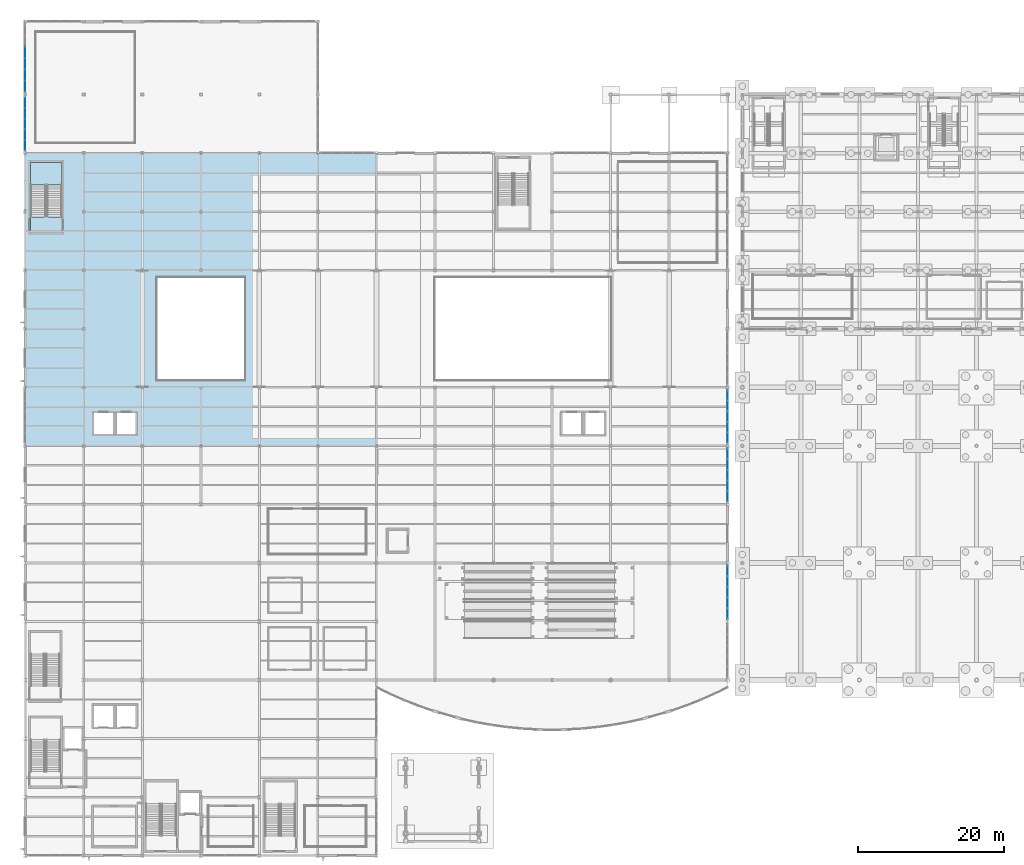
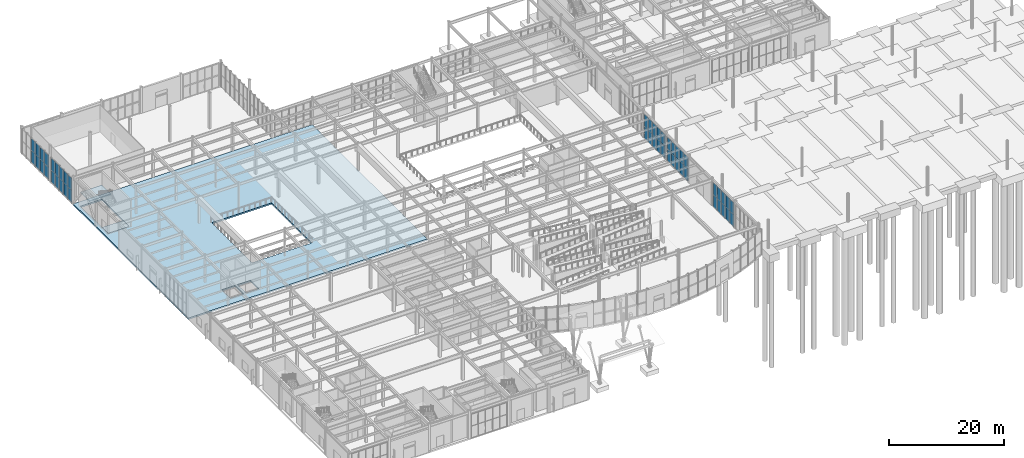
# One storey, part 51 of 82: 48 plates, 3 slabs, 6 elements without a shape of their own.
"""IFC4 building model written with IfcOpenShell, lengths in metres."""

from ifc_helpers import new_model, si_unit, direction, frame, origin, origin_2d, place, context, subcontext, project, spatial, polyline, rectangle, outline, extrude, material, layer, layer_set, type_object, element, aggregate, save


model = new_model("IFC4")

# Units and contexts
model_context = context("Model", 3, precision=1e-05, world=origin(), true_north=direction((0.0, 1.0)))
body_context = subcontext(model_context, "Body", "Model", "MODEL_VIEW")
ifc_project = project(units=[si_unit("LENGTHUNIT", "METRE"), si_unit("AREAUNIT", "SQUARE_METRE"), si_unit("VOLUMEUNIT", "CUBIC_METRE"), si_unit("PLANEANGLEUNIT", "RADIAN"), si_unit("MASSUNIT", "GRAM", prefix="KILO")], contexts=[model_context])

# Site, building, storey
site_placement = place(None, origin())
site = spatial("IfcSite", under=ifc_project, at=site_placement, CompositionType="ELEMENT")
building_placement = place(site_placement, origin())
building = spatial("IfcBuilding", under=site, at=building_placement, Name="Drelvath Fold Interchange", CompositionType="ELEMENT")
storey_placement = place(building_placement, origin())
storey = spatial("IfcBuildingStorey", under=building, at=storey_placement, Name="L00", CompositionType="ELEMENT", Elevation=0.0)

# Curtain wall, plates
ifc_material_1 = material(Name="Anodized Aluminium 6063-T6", Category="aluminium")
curtain_wall_type = type_object("IfcCurtainWallType", Name="CW-CON-600", PredefinedType="USERDEFINED", material=ifc_material_1)
curtain_wall_1_placement = place(storey_placement, origin())
curtain_wall_1 = element("IfcCurtainWall", 1, at=curtain_wall_1_placement, inside=storey, type_object=curtain_wall_type, Name="Curtain wall CW-V1-L00-W99", ObjectType="UNITISED CURTAIN WALL", PredefinedType="USERDEFINED")
ifc_material_2 = material(Name="Low-Iron Insulated Laminated Glass", Category="glass")
ifc_layer_1 = layer(ifc_material_2, 0.048095703125, Name="Low-Iron Insulated Laminated Glass")
ifc_layer_set_1 = layer_set([ifc_layer_1], Name="Low-Iron Insulated Laminated Glass")
plate_type = type_object("IfcPlateType", Name="CP-CON-A", PredefinedType="CURTAIN_PANEL", material=ifc_layer_set_1)
plate_1_placement = place(storey_placement, frame((4.0, 100.10791015625, 0.03955078125), z_axis=(0.0, 0.0, 1.0), x_axis=(0.0, 1.0, 0.0)))
plate_1 = element("IfcPlate", 2, at=plate_1_placement, type_object=plate_type, Name="CW-V1-L00-W99 glazed panel 0-0", PredefinedType="CURTAIN_PANEL", context=body_context, shape_type="SweptSolid", body=[
    extrude(rectangle(XDim=1.39599609375, YDim=0.048095703125, at=origin_2d()), origin(), (0.0, 0.0, 1.0), 2.52490234375),
])
plate_2_placement = place(storey_placement, frame((4.0, 100.10791015625, 2.58544921875), z_axis=(0.0, 0.0, 1.0), x_axis=(0.0, 1.0, 0.0)))
plate_2 = element("IfcPlate", 3, at=plate_2_placement, type_object=plate_type, Name="CW-V1-L00-W99 glazed panel 0-1", PredefinedType="CURTAIN_PANEL", context=body_context, shape_type="SweptSolid", body=[
    extrude(rectangle(XDim=1.39599609375, YDim=0.048095703125, at=origin_2d()), origin(), (0.0, 0.0, 1.0), 2.52490234375),
])
plate_3_placement = place(storey_placement, frame((4.0, 101.5439453125, 0.03955078125), z_axis=(0.0, 0.0, 1.0), x_axis=(0.0, 1.0, 0.0)))
plate_3 = element("IfcPlate", 4, at=plate_3_placement, type_object=plate_type, Name="CW-V1-L00-W99 glazed panel 1-0", PredefinedType="CURTAIN_PANEL", context=body_context, shape_type="SweptSolid", body=[
    extrude(rectangle(XDim=1.43603515625, YDim=0.048095703125, at=origin_2d()), origin(), (0.0, 0.0, 1.0), 2.52490234375),
])
plate_4_placement = place(storey_placement, frame((4.0, 101.5439453125, 2.58544921875), z_axis=(0.0, 0.0, 1.0), x_axis=(0.0, 1.0, 0.0)))
plate_4 = element("IfcPlate", 5, at=plate_4_placement, type_object=plate_type, Name="CW-V1-L00-W99 glazed panel 1-1", PredefinedType="CURTAIN_PANEL", context=body_context, shape_type="SweptSolid", body=[
    extrude(rectangle(XDim=1.43603515625, YDim=0.048095703125, at=origin_2d()), origin(), (0.0, 0.0, 1.0), 2.52490234375),
])
plate_5_placement = place(storey_placement, frame((4.0, 103.0, 0.03955078125), z_axis=(0.0, 0.0, 1.0), x_axis=(0.0, 1.0, 0.0)))
plate_5 = element("IfcPlate", 6, at=plate_5_placement, type_object=plate_type, Name="CW-V1-L00-W99 glazed panel 2-0", PredefinedType="CURTAIN_PANEL", context=body_context, shape_type="SweptSolid", body=[
    extrude(rectangle(XDim=1.43603515625, YDim=0.048095703125, at=origin_2d()), origin(), (0.0, 0.0, 1.0), 2.52490234375),
])
plate_6_placement = place(storey_placement, frame((4.0, 103.0, 2.58544921875), z_axis=(0.0, 0.0, 1.0), x_axis=(0.0, 1.0, 0.0)))
plate_6 = element("IfcPlate", 7, at=plate_6_placement, type_object=plate_type, Name="CW-V1-L00-W99 glazed panel 2-1", PredefinedType="CURTAIN_PANEL", context=body_context, shape_type="SweptSolid", body=[
    extrude(rectangle(XDim=1.43603515625, YDim=0.048095703125, at=origin_2d()), origin(), (0.0, 0.0, 1.0), 2.52490234375),
])
plate_7_placement = place(storey_placement, frame((4.0, 104.4560546875, 0.03955078125), z_axis=(0.0, 0.0, 1.0), x_axis=(0.0, 1.0, 0.0)))
plate_7 = element("IfcPlate", 8, at=plate_7_placement, type_object=plate_type, Name="CW-V1-L00-W99 glazed panel 3-0", PredefinedType="CURTAIN_PANEL", context=body_context, shape_type="SweptSolid", body=[
    extrude(rectangle(XDim=1.43603515625, YDim=0.048095703125, at=origin_2d()), origin(), (0.0, 0.0, 1.0), 2.52490234375),
])
plate_8_placement = place(storey_placement, frame((4.0, 104.4560546875, 2.58544921875), z_axis=(0.0, 0.0, 1.0), x_axis=(0.0, 1.0, 0.0)))
plate_8 = element("IfcPlate", 9, at=plate_8_placement, type_object=plate_type, Name="CW-V1-L00-W99 glazed panel 3-1", PredefinedType="CURTAIN_PANEL", context=body_context, shape_type="SweptSolid", body=[
    extrude(rectangle(XDim=1.43603515625, YDim=0.048095703125, at=origin_2d()), origin(), (0.0, 0.0, 1.0), 2.52490234375),
])
plate_9_placement = place(storey_placement, frame((4.0, 105.89208984375, 0.03955078125), z_axis=(0.0, 0.0, 1.0), x_axis=(0.0, 1.0, 0.0)))
plate_9 = element("IfcPlate", 10, at=plate_9_placement, type_object=plate_type, Name="CW-V1-L00-W99 glazed panel 4-0", PredefinedType="CURTAIN_PANEL", context=body_context, shape_type="SweptSolid", body=[
    extrude(rectangle(XDim=1.39599609375, YDim=0.048095703125, at=origin_2d()), origin(), (0.0, 0.0, 1.0), 2.52490234375),
])
plate_10_placement = place(storey_placement, frame((4.0, 105.89208984375, 2.58544921875), z_axis=(0.0, 0.0, 1.0), x_axis=(0.0, 1.0, 0.0)))
plate_10 = element("IfcPlate", 11, at=plate_10_placement, type_object=plate_type, Name="CW-V1-L00-W99 glazed panel 4-1", PredefinedType="CURTAIN_PANEL", context=body_context, shape_type="SweptSolid", body=[
    extrude(rectangle(XDim=1.39599609375, YDim=0.048095703125, at=origin_2d()), origin(), (0.0, 0.0, 1.0), 2.52490234375),
])
aggregate(curtain_wall_1, [plate_1, plate_2, plate_3, plate_4, plate_5, plate_6, plate_7, plate_8, plate_9, plate_10])

curtain_wall_2_placement = place(storey_placement, origin())
curtain_wall_2 = element("IfcCurtainWall", 12, at=curtain_wall_2_placement, inside=storey, type_object=curtain_wall_type, Name="Curtain wall CW-V1-L00-W107", ObjectType="UNITISED CURTAIN WALL", PredefinedType="USERDEFINED")
plate_11_placement = place(storey_placement, frame((4.0, 108.153076171875, 0.03955078125), z_axis=(0.0, 0.0, 1.0), x_axis=(0.0, 1.0, 0.0)))
plate_11 = element("IfcPlate", 13, at=plate_11_placement, type_object=plate_type, Name="CW-V1-L00-W107 glazed panel 0-0", PredefinedType="CURTAIN_PANEL", context=body_context, shape_type="SweptSolid", body=[
    extrude(rectangle(XDim=1.487060546875, YDim=0.048095703125, at=origin_2d()), origin(), (0.0, 0.0, 1.0), 2.52490234375),
])
plate_12_placement = place(storey_placement, frame((4.0, 108.153076171875, 2.58544921875), z_axis=(0.0, 0.0, 1.0), x_axis=(0.0, 1.0, 0.0)))
plate_12 = element("IfcPlate", 14, at=plate_12_placement, type_object=plate_type, Name="CW-V1-L00-W107 glazed panel 0-1", PredefinedType="CURTAIN_PANEL", context=body_context, shape_type="SweptSolid", body=[
    extrude(rectangle(XDim=1.487060546875, YDim=0.048095703125, at=origin_2d()), origin(), (0.0, 0.0, 1.0), 2.52490234375),
])
plate_13_placement = place(storey_placement, frame((4.0, 109.679931640625, 0.03955078125), z_axis=(0.0, 0.0, 1.0), x_axis=(0.0, 1.0, 0.0)))
plate_13 = element("IfcPlate", 15, at=plate_13_placement, type_object=plate_type, Name="CW-V1-L00-W107 glazed panel 1-0", PredefinedType="CURTAIN_PANEL", context=body_context, shape_type="SweptSolid", body=[
    extrude(rectangle(XDim=1.527099609375, YDim=0.048095703125, at=origin_2d()), origin(), (0.0, 0.0, 1.0), 2.52490234375),
])
plate_14_placement = place(storey_placement, frame((4.0, 109.679931640625, 2.58544921875), z_axis=(0.0, 0.0, 1.0), x_axis=(0.0, 1.0, 0.0)))
plate_14 = element("IfcPlate", 16, at=plate_14_placement, type_object=plate_type, Name="CW-V1-L00-W107 glazed panel 1-1", PredefinedType="CURTAIN_PANEL", context=body_context, shape_type="SweptSolid", body=[
    extrude(rectangle(XDim=1.527099609375, YDim=0.048095703125, at=origin_2d()), origin(), (0.0, 0.0, 1.0), 2.52490234375),
])
plate_15_placement = place(storey_placement, frame((4.0, 111.22705078125, 0.03955078125), z_axis=(0.0, 0.0, 1.0), x_axis=(0.0, 1.0, 0.0)))
plate_15 = element("IfcPlate", 17, at=plate_15_placement, type_object=plate_type, Name="CW-V1-L00-W107 glazed panel 2-0", PredefinedType="CURTAIN_PANEL", context=body_context, shape_type="SweptSolid", body=[
    extrude(rectangle(XDim=1.527099609375, YDim=0.048095703125, at=origin_2d()), origin(), (0.0, 0.0, 1.0), 2.52490234375),
])
plate_16_placement = place(storey_placement, frame((4.0, 111.22705078125, 2.58544921875), z_axis=(0.0, 0.0, 1.0), x_axis=(0.0, 1.0, 0.0)))
plate_16 = element("IfcPlate", 18, at=plate_16_placement, type_object=plate_type, Name="CW-V1-L00-W107 glazed panel 2-1", PredefinedType="CURTAIN_PANEL", context=body_context, shape_type="SweptSolid", body=[
    extrude(rectangle(XDim=1.527099609375, YDim=0.048095703125, at=origin_2d()), origin(), (0.0, 0.0, 1.0), 2.52490234375),
])
plate_17_placement = place(storey_placement, frame((4.0, 112.77294921875, 0.03955078125), z_axis=(0.0, 0.0, 1.0), x_axis=(0.0, 1.0, 0.0)))
plate_17 = element("IfcPlate", 19, at=plate_17_placement, type_object=plate_type, Name="CW-V1-L00-W107 glazed panel 3-0", PredefinedType="CURTAIN_PANEL", context=body_context, shape_type="SweptSolid", body=[
    extrude(rectangle(XDim=1.527099609375, YDim=0.048095703125, at=origin_2d()), origin(), (0.0, 0.0, 1.0), 2.52490234375),
])
plate_18_placement = place(storey_placement, frame((4.0, 112.77294921875, 2.58544921875), z_axis=(0.0, 0.0, 1.0), x_axis=(0.0, 1.0, 0.0)))
plate_18 = element("IfcPlate", 20, at=plate_18_placement, type_object=plate_type, Name="CW-V1-L00-W107 glazed panel 3-1", PredefinedType="CURTAIN_PANEL", context=body_context, shape_type="SweptSolid", body=[
    extrude(rectangle(XDim=1.527099609375, YDim=0.048095703125, at=origin_2d()), origin(), (0.0, 0.0, 1.0), 2.52490234375),
])
aggregate(curtain_wall_2, [plate_11, plate_12, plate_13, plate_14, plate_15, plate_16, plate_17, plate_18])

curtain_wall_3_placement = place(storey_placement, origin())
curtain_wall_3 = element("IfcCurtainWall", 21, at=curtain_wall_3_placement, inside=storey, type_object=curtain_wall_type, Name="Curtain wall CW-V1E-L00-Y35", ObjectType="UNITISED CURTAIN WALL", PredefinedType="USERDEFINED")
plate_19_placement = place(storey_placement, frame((100.0, 36.10791015625, 0.03955078125), z_axis=(0.0, 0.0, 1.0), x_axis=(0.0, 1.0, 0.0)))
plate_19 = element("IfcPlate", 22, at=plate_19_placement, type_object=plate_type, Name="CW-V1E-L00-Y35 glazed panel 0-0", PredefinedType="CURTAIN_PANEL", context=body_context, shape_type="SweptSolid", body=[
    extrude(rectangle(XDim=1.39599609375, YDim=0.048095703125, at=origin_2d()), origin(), (0.0, 0.0, 1.0), 2.52490234375),
])
plate_20_placement = place(storey_placement, frame((100.0, 36.10791015625, 2.58544921875), z_axis=(0.0, 0.0, 1.0), x_axis=(0.0, 1.0, 0.0)))
plate_20 = element("IfcPlate", 23, at=plate_20_placement, type_object=plate_type, Name="CW-V1E-L00-Y35 glazed panel 0-1", PredefinedType="CURTAIN_PANEL", context=body_context, shape_type="SweptSolid", body=[
    extrude(rectangle(XDim=1.39599609375, YDim=0.048095703125, at=origin_2d()), origin(), (0.0, 0.0, 1.0), 2.52490234375),
])
plate_21_placement = place(storey_placement, frame((100.0, 37.5439453125, 0.03955078125), z_axis=(0.0, 0.0, 1.0), x_axis=(0.0, 1.0, 0.0)))
plate_21 = element("IfcPlate", 24, at=plate_21_placement, type_object=plate_type, Name="CW-V1E-L00-Y35 glazed panel 1-0", PredefinedType="CURTAIN_PANEL", context=body_context, shape_type="SweptSolid", body=[
    extrude(rectangle(XDim=1.43603515625, YDim=0.048095703125, at=origin_2d()), origin(), (0.0, 0.0, 1.0), 2.52490234375),
])
plate_22_placement = place(storey_placement, frame((100.0, 37.5439453125, 2.58544921875), z_axis=(0.0, 0.0, 1.0), x_axis=(0.0, 1.0, 0.0)))
plate_22 = element("IfcPlate", 25, at=plate_22_placement, type_object=plate_type, Name="CW-V1E-L00-Y35 glazed panel 1-1", PredefinedType="CURTAIN_PANEL", context=body_context, shape_type="SweptSolid", body=[
    extrude(rectangle(XDim=1.43603515625, YDim=0.048095703125, at=origin_2d()), origin(), (0.0, 0.0, 1.0), 2.52490234375),
])
plate_23_placement = place(storey_placement, frame((100.0, 39.0, 0.03955078125), z_axis=(0.0, 0.0, 1.0), x_axis=(0.0, 1.0, 0.0)))
plate_23 = element("IfcPlate", 26, at=plate_23_placement, type_object=plate_type, Name="CW-V1E-L00-Y35 glazed panel 2-0", PredefinedType="CURTAIN_PANEL", context=body_context, shape_type="SweptSolid", body=[
    extrude(rectangle(XDim=1.43603515625, YDim=0.048095703125, at=origin_2d()), origin(), (0.0, 0.0, 1.0), 2.52490234375),
])
plate_24_placement = place(storey_placement, frame((100.0, 39.0, 2.58544921875), z_axis=(0.0, 0.0, 1.0), x_axis=(0.0, 1.0, 0.0)))
plate_24 = element("IfcPlate", 27, at=plate_24_placement, type_object=plate_type, Name="CW-V1E-L00-Y35 glazed panel 2-1", PredefinedType="CURTAIN_PANEL", context=body_context, shape_type="SweptSolid", body=[
    extrude(rectangle(XDim=1.43603515625, YDim=0.048095703125, at=origin_2d()), origin(), (0.0, 0.0, 1.0), 2.52490234375),
])
plate_25_placement = place(storey_placement, frame((100.0, 40.4560546875, 0.03955078125), z_axis=(0.0, 0.0, 1.0), x_axis=(0.0, 1.0, 0.0)))
plate_25 = element("IfcPlate", 28, at=plate_25_placement, type_object=plate_type, Name="CW-V1E-L00-Y35 glazed panel 3-0", PredefinedType="CURTAIN_PANEL", context=body_context, shape_type="SweptSolid", body=[
    extrude(rectangle(XDim=1.43603515625, YDim=0.048095703125, at=origin_2d()), origin(), (0.0, 0.0, 1.0), 2.52490234375),
])
plate_26_placement = place(storey_placement, frame((100.0, 40.4560546875, 2.58544921875), z_axis=(0.0, 0.0, 1.0), x_axis=(0.0, 1.0, 0.0)))
plate_26 = element("IfcPlate", 29, at=plate_26_placement, type_object=plate_type, Name="CW-V1E-L00-Y35 glazed panel 3-1", PredefinedType="CURTAIN_PANEL", context=body_context, shape_type="SweptSolid", body=[
    extrude(rectangle(XDim=1.43603515625, YDim=0.048095703125, at=origin_2d()), origin(), (0.0, 0.0, 1.0), 2.52490234375),
])
plate_27_placement = place(storey_placement, frame((100.0, 41.89208984375, 0.03955078125), z_axis=(0.0, 0.0, 1.0), x_axis=(0.0, 1.0, 0.0)))
plate_27 = element("IfcPlate", 30, at=plate_27_placement, type_object=plate_type, Name="CW-V1E-L00-Y35 glazed panel 4-0", PredefinedType="CURTAIN_PANEL", context=body_context, shape_type="SweptSolid", body=[
    extrude(rectangle(XDim=1.39599609375, YDim=0.048095703125, at=origin_2d()), origin(), (0.0, 0.0, 1.0), 2.52490234375),
])
plate_28_placement = place(storey_placement, frame((100.0, 41.89208984375, 2.58544921875), z_axis=(0.0, 0.0, 1.0), x_axis=(0.0, 1.0, 0.0)))
plate_28 = element("IfcPlate", 31, at=plate_28_placement, type_object=plate_type, Name="CW-V1E-L00-Y35 glazed panel 4-1", PredefinedType="CURTAIN_PANEL", context=body_context, shape_type="SweptSolid", body=[
    extrude(rectangle(XDim=1.39599609375, YDim=0.048095703125, at=origin_2d()), origin(), (0.0, 0.0, 1.0), 2.52490234375),
])
aggregate(curtain_wall_3, [plate_19, plate_20, plate_21, plate_22, plate_23, plate_24, plate_25, plate_26, plate_27, plate_28])

curtain_wall_4_placement = place(storey_placement, origin())
curtain_wall_4 = element("IfcCurtainWall", 32, at=curtain_wall_4_placement, inside=storey, type_object=curtain_wall_type, Name="Curtain wall CW-V1E-L00-Y51", ObjectType="UNITISED CURTAIN WALL", PredefinedType="USERDEFINED")
plate_29_placement = place(storey_placement, frame((100.0, 52.10791015625, 0.03955078125), z_axis=(0.0, 0.0, 1.0), x_axis=(0.0, 1.0, 0.0)))
plate_29 = element("IfcPlate", 33, at=plate_29_placement, type_object=plate_type, Name="CW-V1E-L00-Y51 glazed panel 0-0", PredefinedType="CURTAIN_PANEL", context=body_context, shape_type="SweptSolid", body=[
    extrude(rectangle(XDim=1.39599609375, YDim=0.048095703125, at=origin_2d()), origin(), (0.0, 0.0, 1.0), 2.52490234375),
])
plate_30_placement = place(storey_placement, frame((100.0, 52.10791015625, 2.58544921875), z_axis=(0.0, 0.0, 1.0), x_axis=(0.0, 1.0, 0.0)))
plate_30 = element("IfcPlate", 34, at=plate_30_placement, type_object=plate_type, Name="CW-V1E-L00-Y51 glazed panel 0-1", PredefinedType="CURTAIN_PANEL", context=body_context, shape_type="SweptSolid", body=[
    extrude(rectangle(XDim=1.39599609375, YDim=0.048095703125, at=origin_2d()), origin(), (0.0, 0.0, 1.0), 2.52490234375),
])
plate_31_placement = place(storey_placement, frame((100.0, 53.5439453125, 0.03955078125), z_axis=(0.0, 0.0, 1.0), x_axis=(0.0, 1.0, 0.0)))
plate_31 = element("IfcPlate", 35, at=plate_31_placement, type_object=plate_type, Name="CW-V1E-L00-Y51 glazed panel 1-0", PredefinedType="CURTAIN_PANEL", context=body_context, shape_type="SweptSolid", body=[
    extrude(rectangle(XDim=1.43603515625, YDim=0.048095703125, at=origin_2d()), origin(), (0.0, 0.0, 1.0), 2.52490234375),
])
plate_32_placement = place(storey_placement, frame((100.0, 53.5439453125, 2.58544921875), z_axis=(0.0, 0.0, 1.0), x_axis=(0.0, 1.0, 0.0)))
plate_32 = element("IfcPlate", 36, at=plate_32_placement, type_object=plate_type, Name="CW-V1E-L00-Y51 glazed panel 1-1", PredefinedType="CURTAIN_PANEL", context=body_context, shape_type="SweptSolid", body=[
    extrude(rectangle(XDim=1.43603515625, YDim=0.048095703125, at=origin_2d()), origin(), (0.0, 0.0, 1.0), 2.52490234375),
])
plate_33_placement = place(storey_placement, frame((100.0, 55.0, 0.03955078125), z_axis=(0.0, 0.0, 1.0), x_axis=(0.0, 1.0, 0.0)))
plate_33 = element("IfcPlate", 37, at=plate_33_placement, type_object=plate_type, Name="CW-V1E-L00-Y51 glazed panel 2-0", PredefinedType="CURTAIN_PANEL", context=body_context, shape_type="SweptSolid", body=[
    extrude(rectangle(XDim=1.43603515625, YDim=0.048095703125, at=origin_2d()), origin(), (0.0, 0.0, 1.0), 2.52490234375),
])
plate_34_placement = place(storey_placement, frame((100.0, 55.0, 2.58544921875), z_axis=(0.0, 0.0, 1.0), x_axis=(0.0, 1.0, 0.0)))
plate_34 = element("IfcPlate", 38, at=plate_34_placement, type_object=plate_type, Name="CW-V1E-L00-Y51 glazed panel 2-1", PredefinedType="CURTAIN_PANEL", context=body_context, shape_type="SweptSolid", body=[
    extrude(rectangle(XDim=1.43603515625, YDim=0.048095703125, at=origin_2d()), origin(), (0.0, 0.0, 1.0), 2.52490234375),
])
plate_35_placement = place(storey_placement, frame((100.0, 56.4560546875, 0.03955078125), z_axis=(0.0, 0.0, 1.0), x_axis=(0.0, 1.0, 0.0)))
plate_35 = element("IfcPlate", 39, at=plate_35_placement, type_object=plate_type, Name="CW-V1E-L00-Y51 glazed panel 3-0", PredefinedType="CURTAIN_PANEL", context=body_context, shape_type="SweptSolid", body=[
    extrude(rectangle(XDim=1.43603515625, YDim=0.048095703125, at=origin_2d()), origin(), (0.0, 0.0, 1.0), 2.52490234375),
])
plate_36_placement = place(storey_placement, frame((100.0, 56.4560546875, 2.58544921875), z_axis=(0.0, 0.0, 1.0), x_axis=(0.0, 1.0, 0.0)))
plate_36 = element("IfcPlate", 40, at=plate_36_placement, type_object=plate_type, Name="CW-V1E-L00-Y51 glazed panel 3-1", PredefinedType="CURTAIN_PANEL", context=body_context, shape_type="SweptSolid", body=[
    extrude(rectangle(XDim=1.43603515625, YDim=0.048095703125, at=origin_2d()), origin(), (0.0, 0.0, 1.0), 2.52490234375),
])
plate_37_placement = place(storey_placement, frame((100.0, 57.89208984375, 0.03955078125), z_axis=(0.0, 0.0, 1.0), x_axis=(0.0, 1.0, 0.0)))
plate_37 = element("IfcPlate", 41, at=plate_37_placement, type_object=plate_type, Name="CW-V1E-L00-Y51 glazed panel 4-0", PredefinedType="CURTAIN_PANEL", context=body_context, shape_type="SweptSolid", body=[
    extrude(rectangle(XDim=1.39599609375, YDim=0.048095703125, at=origin_2d()), origin(), (0.0, 0.0, 1.0), 2.52490234375),
])
plate_38_placement = place(storey_placement, frame((100.0, 57.89208984375, 2.58544921875), z_axis=(0.0, 0.0, 1.0), x_axis=(0.0, 1.0, 0.0)))
plate_38 = element("IfcPlate", 42, at=plate_38_placement, type_object=plate_type, Name="CW-V1E-L00-Y51 glazed panel 4-1", PredefinedType="CURTAIN_PANEL", context=body_context, shape_type="SweptSolid", body=[
    extrude(rectangle(XDim=1.39599609375, YDim=0.048095703125, at=origin_2d()), origin(), (0.0, 0.0, 1.0), 2.52490234375),
])
aggregate(curtain_wall_4, [plate_29, plate_30, plate_31, plate_32, plate_33, plate_34, plate_35, plate_36, plate_37, plate_38])

curtain_wall_5_placement = place(storey_placement, origin())
curtain_wall_5 = element("IfcCurtainWall", 43, at=curtain_wall_5_placement, inside=storey, type_object=curtain_wall_type, Name="Curtain wall CW-V1E-L00-Y59", ObjectType="UNITISED CURTAIN WALL", PredefinedType="USERDEFINED")
plate_39_placement = place(storey_placement, frame((100.0, 60.10791015625, 0.03955078125), z_axis=(0.0, 0.0, 1.0), x_axis=(0.0, 1.0, 0.0)))
plate_39 = element("IfcPlate", 44, at=plate_39_placement, type_object=plate_type, Name="CW-V1E-L00-Y59 glazed panel 0-0", PredefinedType="CURTAIN_PANEL", context=body_context, shape_type="SweptSolid", body=[
    extrude(rectangle(XDim=1.39599609375, YDim=0.048095703125, at=origin_2d()), origin(), (0.0, 0.0, 1.0), 2.52490234375),
])
plate_40_placement = place(storey_placement, frame((100.0, 60.10791015625, 2.58544921875), z_axis=(0.0, 0.0, 1.0), x_axis=(0.0, 1.0, 0.0)))
plate_40 = element("IfcPlate", 45, at=plate_40_placement, type_object=plate_type, Name="CW-V1E-L00-Y59 glazed panel 0-1", PredefinedType="CURTAIN_PANEL", context=body_context, shape_type="SweptSolid", body=[
    extrude(rectangle(XDim=1.39599609375, YDim=0.048095703125, at=origin_2d()), origin(), (0.0, 0.0, 1.0), 2.52490234375),
])
plate_41_placement = place(storey_placement, frame((100.0, 61.5439453125, 0.03955078125), z_axis=(0.0, 0.0, 1.0), x_axis=(0.0, 1.0, 0.0)))
plate_41 = element("IfcPlate", 46, at=plate_41_placement, type_object=plate_type, Name="CW-V1E-L00-Y59 glazed panel 1-0", PredefinedType="CURTAIN_PANEL", context=body_context, shape_type="SweptSolid", body=[
    extrude(rectangle(XDim=1.43603515625, YDim=0.048095703125, at=origin_2d()), origin(), (0.0, 0.0, 1.0), 2.52490234375),
])
plate_42_placement = place(storey_placement, frame((100.0, 61.5439453125, 2.58544921875), z_axis=(0.0, 0.0, 1.0), x_axis=(0.0, 1.0, 0.0)))
plate_42 = element("IfcPlate", 47, at=plate_42_placement, type_object=plate_type, Name="CW-V1E-L00-Y59 glazed panel 1-1", PredefinedType="CURTAIN_PANEL", context=body_context, shape_type="SweptSolid", body=[
    extrude(rectangle(XDim=1.43603515625, YDim=0.048095703125, at=origin_2d()), origin(), (0.0, 0.0, 1.0), 2.52490234375),
])
plate_43_placement = place(storey_placement, frame((100.0, 63.0, 0.03955078125), z_axis=(0.0, 0.0, 1.0), x_axis=(0.0, 1.0, 0.0)))
plate_43 = element("IfcPlate", 48, at=plate_43_placement, type_object=plate_type, Name="CW-V1E-L00-Y59 glazed panel 2-0", PredefinedType="CURTAIN_PANEL", context=body_context, shape_type="SweptSolid", body=[
    extrude(rectangle(XDim=1.43603515625, YDim=0.048095703125, at=origin_2d()), origin(), (0.0, 0.0, 1.0), 2.52490234375),
])
plate_44_placement = place(storey_placement, frame((100.0, 63.0, 2.58544921875), z_axis=(0.0, 0.0, 1.0), x_axis=(0.0, 1.0, 0.0)))
plate_44 = element("IfcPlate", 49, at=plate_44_placement, type_object=plate_type, Name="CW-V1E-L00-Y59 glazed panel 2-1", PredefinedType="CURTAIN_PANEL", context=body_context, shape_type="SweptSolid", body=[
    extrude(rectangle(XDim=1.43603515625, YDim=0.048095703125, at=origin_2d()), origin(), (0.0, 0.0, 1.0), 2.52490234375),
])
plate_45_placement = place(storey_placement, frame((100.0, 64.4560546875, 0.03955078125), z_axis=(0.0, 0.0, 1.0), x_axis=(0.0, 1.0, 0.0)))
plate_45 = element("IfcPlate", 50, at=plate_45_placement, type_object=plate_type, Name="CW-V1E-L00-Y59 glazed panel 3-0", PredefinedType="CURTAIN_PANEL", context=body_context, shape_type="SweptSolid", body=[
    extrude(rectangle(XDim=1.43603515625, YDim=0.048095703125, at=origin_2d()), origin(), (0.0, 0.0, 1.0), 2.52490234375),
])
plate_46_placement = place(storey_placement, frame((100.0, 64.4560546875, 2.58544921875), z_axis=(0.0, 0.0, 1.0), x_axis=(0.0, 1.0, 0.0)))
plate_46 = element("IfcPlate", 51, at=plate_46_placement, type_object=plate_type, Name="CW-V1E-L00-Y59 glazed panel 3-1", PredefinedType="CURTAIN_PANEL", context=body_context, shape_type="SweptSolid", body=[
    extrude(rectangle(XDim=1.43603515625, YDim=0.048095703125, at=origin_2d()), origin(), (0.0, 0.0, 1.0), 2.52490234375),
])
plate_47_placement = place(storey_placement, frame((100.0, 65.89208984375, 0.03955078125), z_axis=(0.0, 0.0, 1.0), x_axis=(0.0, 1.0, 0.0)))
plate_47 = element("IfcPlate", 52, at=plate_47_placement, type_object=plate_type, Name="CW-V1E-L00-Y59 glazed panel 4-0", PredefinedType="CURTAIN_PANEL", context=body_context, shape_type="SweptSolid", body=[
    extrude(rectangle(XDim=1.39599609375, YDim=0.048095703125, at=origin_2d()), origin(), (0.0, 0.0, 1.0), 2.52490234375),
])
plate_48_placement = place(storey_placement, frame((100.0, 65.89208984375, 2.58544921875), z_axis=(0.0, 0.0, 1.0), x_axis=(0.0, 1.0, 0.0)))
plate_48 = element("IfcPlate", 53, at=plate_48_placement, type_object=plate_type, Name="CW-V1E-L00-Y59 glazed panel 4-1", PredefinedType="CURTAIN_PANEL", context=body_context, shape_type="SweptSolid", body=[
    extrude(rectangle(XDim=1.39599609375, YDim=0.048095703125, at=origin_2d()), origin(), (0.0, 0.0, 1.0), 2.52490234375),
])
aggregate(curtain_wall_5, [plate_39, plate_40, plate_41, plate_42, plate_43, plate_44, plate_45, plate_46, plate_47, plate_48])

# Slabs
ifc_material_3 = material(Name="Concrete f'c 35 MPa (5000 psi)", Category="concrete")
ifc_layer_2 = layer(ifc_material_3, 0.320068359375, Name="Concrete f'c 35 MPa (5000 psi)")
ifc_layer_set_2 = layer_set([ifc_layer_2], Name="Concrete f'c 35 MPa (5000 psi)")
slab_type_1 = type_object("IfcSlabType", Name="FS-L00", PredefinedType="FLOOR", material=ifc_layer_set_2)
slab_1_placement = place(storey_placement, frame((0.0, 0.0, -0.320068359375)))
element("IfcSlab", 54, at=slab_1_placement, inside=storey, type_object=slab_type_1, Name="L00 structural slab SL-L00-V1W", PredefinedType="FLOOR", context=body_context, shape_type="SweptSolid", body=[
    extrude(outline(polyline([(4.0, 59.0), (52.0, 59.0), (52.0, 99.0), (4.0, 99.0), (4.0, 59.0)]), holes=[polyline([(22.0, 68.0), (22.0, 82.0), (34.0, 82.0), (34.0, 68.0), (22.0, 68.0)]), polyline([(4.75, 88.199951171875), (4.75, 97.75), (9.030029296875, 97.75), (9.030029296875, 88.199951171875), (4.75, 88.199951171875)]), polyline([(13.39990234375, 60.60009765625), (13.39990234375, 63.5), (16.0, 63.5), (16.0, 60.60009765625), (13.39990234375, 60.60009765625)]), polyline([(16.5, 60.60009765625), (16.5, 63.5), (19.10009765625, 63.5), (19.10009765625, 60.60009765625), (16.5, 60.60009765625)])]), origin(), (0.0, 0.0, 1.0), 0.320068359375),
])
slab_2_placement = place(storey_placement, frame((0.0, 0.0, -0.320068359375)))
element("IfcSlab", 55, at=slab_2_placement, inside=storey, type_object=slab_type_1, Name="ST-05 L00 stair floor landing slab", PredefinedType="FLOOR", context=body_context, shape_type="SweptSolid", body=[
    extrude(outline(polyline([(4.75, 88.199951171875), (9.030029296875, 88.199951171875), (9.030029296875, 90.300048828125), (4.75, 90.300048828125), (4.75, 88.199951171875)])), origin(), (0.0, 0.0, 1.0), 0.320068359375),
])

# Stair, slab
stair_type = type_object("IfcStairType", Name="STR-05", PredefinedType="HALF_TURN_STAIR", material=ifc_material_3)
stair_placement = place(storey_placement, origin())
stair = element("IfcStair", 56, at=stair_placement, inside=storey, type_object=stair_type, Name="L00 Protected Exit Stair ST-05", PredefinedType="HALF_TURN_STAIR")
ifc_layer_3 = layer(ifc_material_3, 0.199951171875, Name="Concrete f'c 35 MPa (5000 psi)")
ifc_layer_set_3 = layer_set([ifc_layer_3], Name="Concrete f'c 35 MPa (5000 psi)")
slab_type_2 = type_object("IfcSlabType", Name="SL-LND200", PredefinedType="LANDING", material=ifc_layer_set_3)
slab_3_placement = place(storey_placement, frame((0.0, 0.0, 2.800048828125)))
slab_3 = element("IfcSlab", 57, at=slab_3_placement, type_object=slab_type_2, Name="ST-05 landing 1", PredefinedType="LANDING", context=body_context, shape_type="SweptSolid", body=[
    extrude(outline(polyline([(9.030029296875, 94.64990234375), (9.030029296875, 97.75), (4.75, 97.75), (4.75, 94.64990234375), (9.030029296875, 94.64990234375)])), origin(), (0.0, 0.0, 1.0), 0.199951171875),
])
aggregate(stair, [slab_3])

save(model, "model.ifc")
